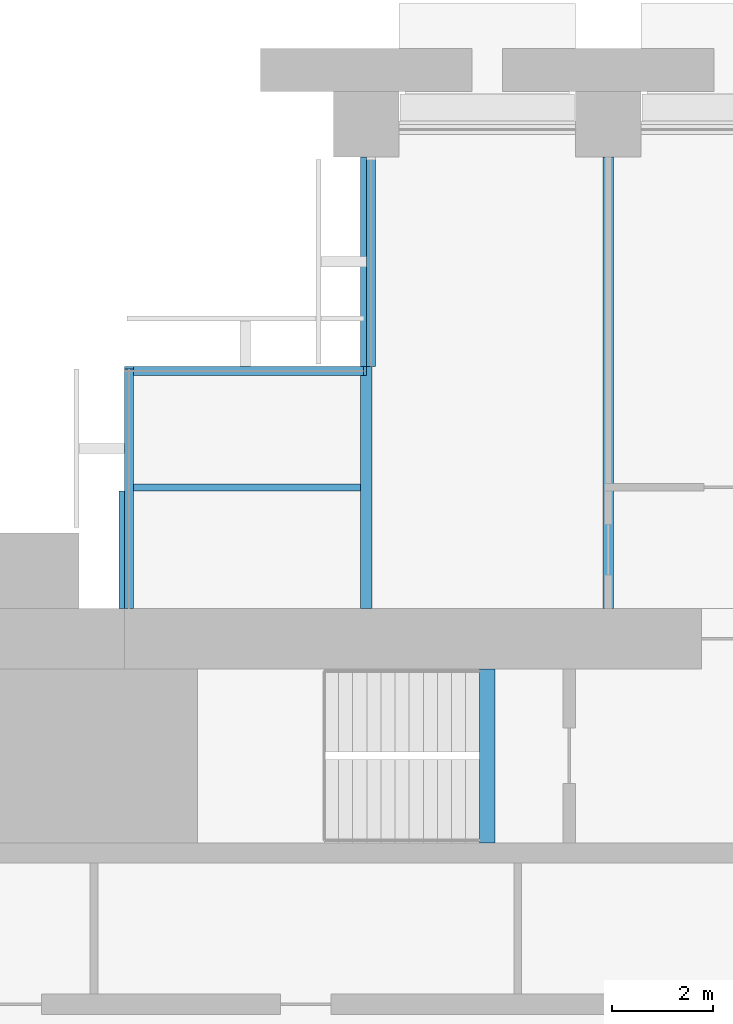
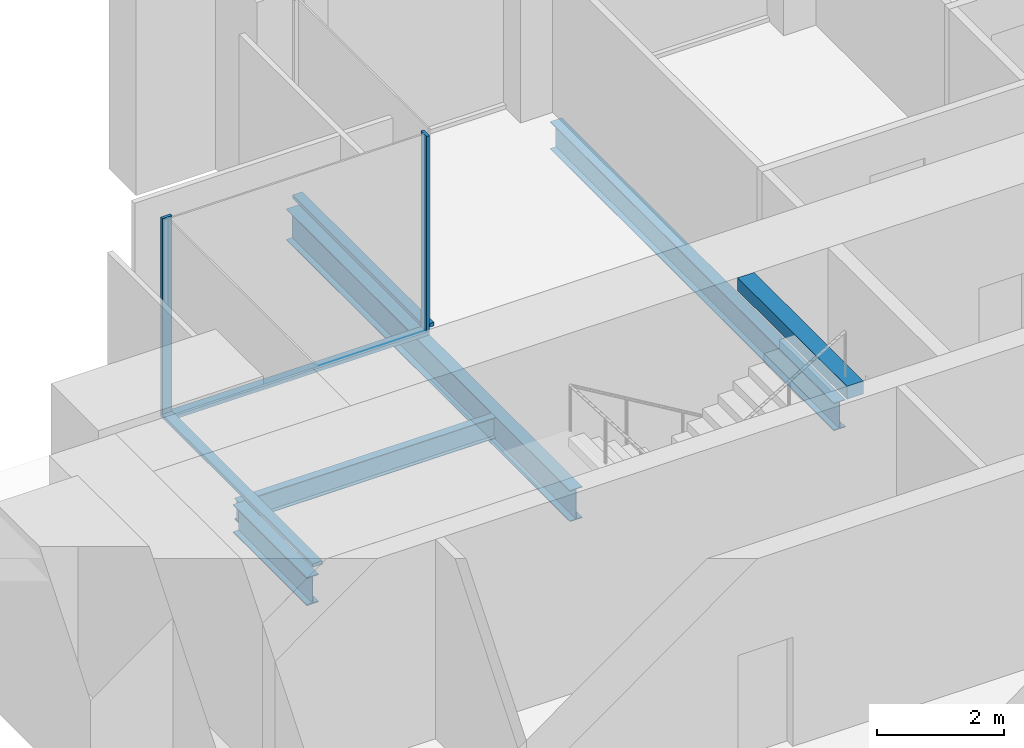
# One storey, part 5 of 15: 5 beams, 5 members, 3 elements without a shape of their own.
"""IFC4 building model written with IfcOpenShell, lengths in metres."""

import ifcopenshell
import ifcopenshell.guid

model = None  # the IFC model being written
_history = None  # IfcOwnerHistory: only IFC2X3 demands one
_inside = {}  # id of a spatial element -> (the spatial element, [elements in it])
_under = {}  # id of a project, library or spatial element -> (it, [spatial elements below it])
_declared = {}  # id of a project -> (the project, [libraries it declares])
_typed = {}  # id of a type object -> (the type object, [elements of that type])
_made_of = {}  # id of a material, layer set ... -> (it, [elements and type objects made of it])


def new_model(schema):
    """Start an empty IFC model of exactly this schema.

    Asked for "IFC4X3", IfcOpenShell would pick the latest addendum, in which some entities
    have other attributes; the version numbers below select the first issue.
    IFC2X3 requires an IfcOwnerHistory on every rooted entity: one is made here for all.
    """
    global model, _history
    if schema == "IFC4X3":
        model = ifcopenshell.file(schema_version=(4, 3, 0, 0))
    else:
        model = ifcopenshell.file(schema=schema)
    _inside.clear()
    _under.clear()
    _declared.clear()
    _typed.clear()
    _made_of.clear()
    _history = None
    if model.schema == "IFC2X3":
        org = make("IfcOrganization", Name="unknown")
        user = make(
            "IfcPersonAndOrganization",
            ThePerson=make("IfcPerson", FamilyName="unknown"),
            TheOrganization=org,
        )
        app = make(
            "IfcApplication",
            ApplicationDeveloper=org,
            Version="unknown",
            ApplicationFullName="unknown",
            ApplicationIdentifier="unknown",
        )
        _history = make(
            "IfcOwnerHistory",
            OwningUser=user,
            OwningApplication=app,
            ChangeAction="ADDED",
            CreationDate=0,
        )
    return model


def make(cls, **values):
    """One entity of the class cls with the attributes given. An attribute that is None is left unset."""
    return model.create_entity(
        cls, **{name: value for name, value in values.items() if value is not None}
    )


def rooted(cls, **values):
    """An entity with a GlobalId (a new one), such as an element, a storey or a relation."""
    return make(cls, GlobalId=ifcopenshell.guid.new(), OwnerHistory=_history, **values)


def si_unit(unit_type, name, prefix=None):
    """IfcSIUnit, for example si_unit("LENGTHUNIT", "METRE", prefix="MILLI")."""
    return make("IfcSIUnit", UnitType=unit_type, Prefix=prefix, Name=name)


def assignment(units):
    """IfcUnitAssignment: the units of a project."""
    return None if units is None else make("IfcUnitAssignment", Units=units)


def point(xyz):
    """IfcCartesianPoint."""
    return None if xyz is None else make("IfcCartesianPoint", Coordinates=xyz)


def direction(xyz):
    """IfcDirection."""
    return None if xyz is None else make("IfcDirection", DirectionRatios=xyz)


def frame(location, z_axis=None, x_axis=None):
    """IfcAxis2Placement3D, a coordinate frame: its origin and axes. An axis left out is left unset."""
    return make(
        "IfcAxis2Placement3D",
        Location=point(location),
        Axis=direction(z_axis),
        RefDirection=direction(x_axis),
    )


def frame_2d(location, x_axis=None):
    """IfcAxis2Placement2D, a coordinate frame in the plane: its origin and x axis."""
    return make(
        "IfcAxis2Placement2D", Location=point(location), RefDirection=direction(x_axis)
    )


def origin():
    """The frame at (0, 0, 0) with its axes left unset."""
    return frame((0.0, 0.0, 0.0))


def origin_2d():
    """The frame at (0, 0) in the plane with its x axis left unset."""
    return frame_2d((0.0, 0.0))


def place(relative_to, where):
    """IfcLocalPlacement: puts the frame where relative to a parent placement (None: the world)."""
    return make(
        "IfcLocalPlacement", PlacementRelTo=relative_to, RelativePlacement=where
    )


def context(
    kind, dimensions, precision=None, world=None, true_north=None, identifier=None
):
    """IfcGeometricRepresentationContext, for example the 3D "Model" context."""
    return make(
        "IfcGeometricRepresentationContext",
        ContextIdentifier=identifier,
        ContextType=kind,
        CoordinateSpaceDimension=dimensions,
        Precision=precision,
        WorldCoordinateSystem=world,
        TrueNorth=true_north,
    )


def subcontext(parent, identifier, kind, view, scale=None):
    """IfcGeometricRepresentationSubContext, for example "Body" below "Model"."""
    return make(
        "IfcGeometricRepresentationSubContext",
        ContextIdentifier=identifier,
        ContextType=kind,
        ParentContext=parent,
        TargetScale=scale,
        TargetView=view,
    )


def project(units=None, contexts=None):
    """IfcProject with its units and contexts."""
    return rooted(
        "IfcProject",
        Name="project",
        RepresentationContexts=contexts,
        UnitsInContext=assignment(units),
    )


def spatial(cls, under=None, at=None, **own):
    """A site, building, storey or space (cls), placed at a placement, below another one or the project."""
    s = rooted(cls, ObjectPlacement=at, **own)
    if under is not None:
        _under.setdefault(under.id(), (under, []))[1].append(s)
    return s


def profile(cls, at=None, kind="AREA", **sizes):
    """A parametric profile (cls). Its sizes go by their IFC names, for example OverallWidth=200.0."""
    return make(cls, ProfileType=kind, Position=at, **sizes)


def rectangle(**sizes):
    """IfcRectangleProfileDef."""
    return profile("IfcRectangleProfileDef", **sizes)


def i_section(**sizes):
    """IfcIShapeProfileDef."""
    return profile("IfcIShapeProfileDef", **sizes)


def extrude(swept, where, along, depth):
    """IfcExtrudedAreaSolid: the profile swept, set in the frame where, extruded along a direction by depth."""
    return make(
        "IfcExtrudedAreaSolid",
        SweptArea=swept,
        Position=where,
        ExtrudedDirection=direction(along),
        Depth=depth,
    )


def shape(context_of_items, identifier, shape_type, items):
    """IfcShapeRepresentation: the items that make up one representation, for example the "Body"."""
    return make(
        "IfcShapeRepresentation",
        ContextOfItems=context_of_items,
        RepresentationIdentifier=identifier,
        RepresentationType=shape_type,
        Items=items,
    )


def material(Name=None, Category=None):
    """IfcMaterial."""
    return make("IfcMaterial", Name=Name, Category=Category)


def material_profile(
    of_material, cross_section, Name=None, Category=None, Priority=None
):
    """IfcMaterialProfile: a cross section and its material."""
    return make(
        "IfcMaterialProfile",
        Name=Name,
        Material=of_material,
        Profile=cross_section,
        Priority=Priority,
        Category=Category,
    )


def profile_set(profiles, Name=None, composite=None):
    """IfcMaterialProfileSet."""
    return make(
        "IfcMaterialProfileSet",
        Name=Name,
        MaterialProfiles=profiles,
        CompositeProfile=composite,
    )


def made_of(thing, what):
    """Note that an element or type object is made of a material, layer set ...; save() writes the relation."""
    if what is not None:
        _made_of.setdefault(what.id(), (what, []))[1].append(thing)
    return thing


def type_object(cls, material=None, **own):
    """A type object (cls), such as IfcWallType, which elements share."""
    return made_of(rooted(cls, **own), material)


def element(
    cls,
    number,
    at=None,
    inside=None,
    cuts=None,
    type_object=None,
    material=None,
    context=None,
    identifier="Body",
    shape_type=None,
    held_by="IfcProductDefinitionShape",
    body=None,
    shapes=None,
    **own,
):
    """One element of the class cls, such as IfcWall. Its Tag is "e" and its number.

    at: its placement. inside: the storey or other place that contains it. cuts: it is an
    opening in that element (IfcRelVoidsElement). A single representation is given by context,
    identifier, shape_type and body (its items); several are given by shapes. held_by: the class
    of the entity that holds the representations. save() writes the other relations.
    """
    e = rooted(cls, Tag="e%d" % number, ObjectPlacement=at, **own)
    if body is not None:
        shapes = [shape(context, identifier, shape_type, body)]
    if shapes is not None:
        e.Representation = make(held_by, Representations=shapes)
    if inside is not None:
        _inside.setdefault(inside.id(), (inside, []))[1].append(e)
    if cuts is not None:
        rooted(
            "IfcRelVoidsElement", RelatingBuildingElement=cuts, RelatedOpeningElement=e
        )
    if type_object is not None:
        _typed.setdefault(type_object.id(), (type_object, []))[1].append(e)
    return made_of(e, material)


def aggregate(whole, parts):
    """IfcRelAggregates: a whole, such as a stair, and the parts it consists of."""
    return rooted("IfcRelAggregates", RelatingObject=whole, RelatedObjects=parts)


def save(model, path):
    """Write the relations noted so far, then the file.

    IfcRelAggregates (storeys below a building ...), IfcRelContainedInSpatialStructure (elements
    in a storey), IfcRelDefinesByType, IfcRelAssociatesMaterial and IfcRelDeclares: one each for
    every whole, place, type object, material and project.
    """
    for whole, parts in _under.values():
        aggregate(whole, parts)
    for where, things in _inside.values():
        rooted(
            "IfcRelContainedInSpatialStructure",
            RelatedElements=things,
            RelatingStructure=where,
        )
    for kind, things in _typed.values():
        rooted("IfcRelDefinesByType", RelatedObjects=things, RelatingType=kind)
    for what, things in _made_of.values():
        rooted("IfcRelAssociatesMaterial", RelatedObjects=things, RelatingMaterial=what)
    for by, libraries in _declared.values():
        rooted("IfcRelDeclares", RelatingContext=by, RelatedDefinitions=libraries)
    model.write(path)


model = new_model("IFC4")

# Units and contexts
model_context = context("Model", 3, precision=1e-05, world=origin(), true_north=direction((0.0, 1.0)))
body_context = subcontext(model_context, "Body", "Model", "MODEL_VIEW")
ifc_project = project(units=[si_unit("LENGTHUNIT", "METRE"), si_unit("AREAUNIT", "SQUARE_METRE"), si_unit("VOLUMEUNIT", "CUBIC_METRE"), si_unit("PLANEANGLEUNIT", "RADIAN"), si_unit("MASSUNIT", "GRAM", prefix="KILO")], contexts=[model_context])

# Site, building, storey
site_placement = place(None, origin())
site = spatial("IfcSite", under=ifc_project, at=site_placement, CompositionType="ELEMENT")
building_placement = place(site_placement, origin())
building = spatial("IfcBuilding", under=site, at=building_placement, Name="Baori Bourse Tower", CompositionType="ELEMENT")
storey_placement = place(building_placement, frame((0.0, 0.0, 71.0)))
storey = spatial("IfcBuildingStorey", under=building, at=storey_placement, Name="L15", CompositionType="ELEMENT", Elevation=71.0)

# Curtain wall, member
ifc_material_1 = material(Name="Pale anodised aluminium", Category="aluminium")
curtain_wall_type = type_object("IfcCurtainWallType", Name="CW2 Curtain wall", PredefinedType="NOTDEFINED", material=ifc_material_1)
curtain_wall_1_placement = place(storey_placement, origin())
curtain_wall_1 = element("IfcCurtainWall", 1, at=curtain_wall_1_placement, inside=storey, type_object=curtain_wall_type, Name="Curtain wall CW2 L15 8", PredefinedType="NOTDEFINED")
ifc_material_2 = material(Name="Pale anodised aluminium", Category="aluminium")
ifc_material_profile_1 = material_profile(ifc_material_2, rectangle(XDim=0.179931640625, YDim=0.054931640625, at=origin_2d()), Name="Mullion 55x180")
ifc_profile_set_1 = profile_set([ifc_material_profile_1], Name="Pale anodised aluminium")
member_type_1 = type_object("IfcMemberType", Name="CW2 Curtain wall mullion", PredefinedType="MULLION", material=ifc_profile_set_1)
member_1_placement = place(storey_placement, frame((9.572509765625, 43.110107421875, 0.070068359375), z_axis=(0.0, 0.0, 1.0), x_axis=(0.0, -1.0, 0.0)))
member_1 = element("IfcMember", 2, at=member_1_placement, type_object=member_type_1, Name="Curtain wall CW2 mullion", PredefinedType="MULLION", context=body_context, shape_type="SweptSolid", body=[
    extrude(rectangle(XDim=0.179931640625, YDim=0.054931640625, at=origin_2d()), origin(), (0.0, 0.0, 1.0), 3.77001953125),
])

curtain_wall_2_placement = place(storey_placement, origin())
curtain_wall_2 = element("IfcCurtainWall", 3, at=curtain_wall_2_placement, inside=storey, type_object=curtain_wall_type, Name="Curtain wall CW2 L15 9", PredefinedType="NOTDEFINED")
member_2_placement = place(storey_placement, frame((4.889892578125, 43.172607421875, 0.070068359375), z_axis=(0.0, 0.0, 1.0), x_axis=(1.0, 0.0, 0.0)))
member_2 = element("IfcMember", 4, at=member_2_placement, type_object=member_type_1, Name="Curtain wall CW2 mullion", PredefinedType="MULLION", context=body_context, shape_type="SweptSolid", body=[
    extrude(rectangle(XDim=0.179931640625, YDim=0.054931640625, at=origin_2d()), origin(), (0.0, 0.0, 1.0), 3.77001953125),
])

curtain_wall_3_placement = place(storey_placement, origin())
curtain_wall_3 = element("IfcCurtainWall", 5, at=curtain_wall_3_placement, inside=storey, type_object=curtain_wall_type, Name="Curtain wall CW2 L15 7", PredefinedType="NOTDEFINED")
ifc_material_3 = material(Name="Pale anodised aluminium", Category="aluminium")
ifc_material_profile_2 = material_profile(ifc_material_3, rectangle(XDim=0.179931640625, YDim=0.070068359375, at=origin_2d()), Name="Transom 70x180")
ifc_profile_set_2 = profile_set([ifc_material_profile_2], Name="Pale anodised aluminium")
member_type_2 = type_object("IfcMemberType", Name="CW2 Curtain wall transom", PredefinedType="USERDEFINED", material=ifc_profile_set_2)
member_3_placement = place(storey_placement, frame((9.68994140625, 47.35009765625, 0.034912109375), z_axis=(0.0, -1.0, 0.0), x_axis=(1.0, 0.0, 0.0)))
member_3 = element("IfcMember", 6, at=member_3_placement, type_object=member_type_2, Name="Curtain wall CW2 sill rail", ObjectType="TRANSOM", PredefinedType="USERDEFINED", context=body_context, shape_type="SweptSolid", body=[
    extrude(rectangle(XDim=0.179931640625, YDim=0.070068359375, at=origin_2d()), origin(), (0.0, 0.0, 1.0), 4.150146484375),
])
aggregate(curtain_wall_3, [member_3])

# Member
member_4_placement = place(storey_placement, frame((9.60009765625, 43.110107421875, 0.034912109375), z_axis=(-1.0, 0.0, 0.0), x_axis=(0.0, -1.0, 0.0)))
member_4 = element("IfcMember", 7, at=member_4_placement, type_object=member_type_2, Name="Curtain wall CW2 sill rail", ObjectType="TRANSOM", PredefinedType="USERDEFINED", context=body_context, shape_type="SweptSolid", body=[
    extrude(rectangle(XDim=0.179931640625, YDim=0.070068359375, at=origin_2d()), origin(), (0.0, 0.0, 1.0), 4.800048828125),
])

aggregate(curtain_wall_1, [member_4, member_1])

member_5_placement = place(storey_placement, frame((4.889892578125, 43.199951171875, 0.034912109375), z_axis=(0.0, -1.0, 0.0), x_axis=(1.0, 0.0, 0.0)))
member_5 = element("IfcMember", 8, at=member_5_placement, type_object=member_type_2, Name="Curtain wall CW2 sill rail", ObjectType="TRANSOM", PredefinedType="USERDEFINED", context=body_context, shape_type="SweptSolid", body=[
    extrude(rectangle(XDim=0.179931640625, YDim=0.070068359375, at=origin_2d()), origin(), (0.0, 0.0, 1.0), 4.800048828125),
])

aggregate(curtain_wall_2, [member_5, member_2])

# Beams
ifc_material_4 = material(Name="Steel A992 Gr 50", Category="steel")
ifc_material_profile_3 = material_profile(ifc_material_4, i_section(OverallWidth=0.21240234375, OverallDepth=0.54345703125, WebThickness=0.01318359375, FlangeThickness=0.021240234375, at=origin_2d()), Name="W21x83")
ifc_profile_set_3 = profile_set([ifc_material_profile_3], Name="Steel A992 Gr 50")
beam_type_1 = type_object("IfcBeamType", Name="Core bracket W21x83", PredefinedType="BEAM", material=ifc_profile_set_3)
beam_1_placement = place(storey_placement, frame((4.800048828125, 38.39990234375, -0.431884765625), z_axis=(0.0, 1.0, 0.0), x_axis=(-1.0, 0.0, 0.0)))
element("IfcBeam", 9, at=beam_1_placement, inside=storey, type_object=beam_type_1, Name="Core bracket L15", PredefinedType="BEAM", context=body_context, shape_type="SweptSolid", body=[
    extrude(i_section(OverallWidth=0.21240234375, OverallDepth=0.54345703125, WebThickness=0.01318359375, FlangeThickness=0.021240234375, at=origin_2d()), origin(), (0.0, 0.0, 1.0), 2.329833984375),
])
ifc_material_5 = material(Name="Steel A992 Gr 50", Category="steel")
ifc_material_profile_4 = material_profile(ifc_material_5, i_section(OverallWidth=0.209228515625, OverallDepth=0.533447265625, WebThickness=0.01025390625, FlangeThickness=0.015625, at=origin_2d()), Name="W21x62")
ifc_profile_set_4 = profile_set([ifc_material_profile_4], Name="Steel A992 Gr 50")
beam_type_2 = type_object("IfcBeamType", Name="Floor beam W21x62", PredefinedType="BEAM", material=ifc_profile_set_4)
beam_2_placement = place(storey_placement, frame((14.39990234375, 38.39990234375, -0.4267578125), z_axis=(0.0, 1.0, 0.0), x_axis=(-1.0, 0.0, 0.0)))
element("IfcBeam", 10, at=beam_2_placement, inside=storey, type_object=beam_type_2, Name="Floor beam L15", PredefinedType="BEAM", context=body_context, shape_type="SweptSolid", body=[
    extrude(i_section(OverallWidth=0.209228515625, OverallDepth=0.533447265625, WebThickness=0.01025390625, FlangeThickness=0.015625, at=origin_2d()), origin(), (0.0, 0.0, 1.0), 8.9501953125),
])
ifc_material_6 = material(Name="Steel A992 Gr 50", Category="steel")
ifc_material_profile_5 = material_profile(ifc_material_6, i_section(OverallWidth=0.227783203125, OverallDepth=0.60205078125, WebThickness=0.010498046875, FlangeThickness=0.014892578125, at=origin_2d()), Name="W24x68")
ifc_profile_set_5 = profile_set([ifc_material_profile_5], Name="Steel A992 Gr 50")
beam_type_3 = type_object("IfcBeamType", Name="Floor beam W24x68", PredefinedType="BEAM", material=ifc_profile_set_5)
beam_3_placement = place(storey_placement, frame((9.60009765625, 38.39990234375, -0.4609375), z_axis=(0.0, 1.0, 0.0), x_axis=(-1.0, 0.0, 0.0)))
element("IfcBeam", 11, at=beam_3_placement, inside=storey, type_object=beam_type_3, Name="Floor beam L15", PredefinedType="BEAM", context=body_context, shape_type="SweptSolid", body=[
    extrude(i_section(OverallWidth=0.227783203125, OverallDepth=0.60205078125, WebThickness=0.010498046875, FlangeThickness=0.014892578125, at=origin_2d()), origin(), (0.0, 0.0, 1.0), 8.9501953125),
])
ifc_material_7 = material(Name="Concrete f'c 50 MPa", Category="concrete")
ifc_material_profile_6 = material_profile(ifc_material_7, rectangle(XDim=0.300048828125, YDim=0.25, at=origin_2d()), Name="RC 300x250")
ifc_profile_set_6 = profile_set([ifc_material_profile_6], Name="Concrete f'c 50 MPa")
beam_type_4 = type_object("IfcBeamType", Name="Stair nib beam RC 300x250", PredefinedType="BEAM", material=ifc_profile_set_6)
beam_4_placement = place(storey_placement, frame((12.0, 33.75, 3.715087890625), z_axis=(0.0, 1.0, 0.0), x_axis=(-1.0, 0.0, 0.0)))
element("IfcBeam", 12, at=beam_4_placement, inside=storey, type_object=beam_type_4, Name="Stair WB nib beam L16", PredefinedType="BEAM", context=body_context, shape_type="SweptSolid", body=[
    extrude(rectangle(XDim=0.300048828125, YDim=0.25, at=origin_2d()), origin(), (0.0, 0.0, 1.0), 3.449951171875),
])
ifc_material_8 = material(Name="Steel A992 Gr 50", Category="steel")
ifc_material_profile_7 = material_profile(ifc_material_8, i_section(OverallWidth=0.140380859375, OverallDepth=0.40380859375, WebThickness=0.007080078125, FlangeThickness=0.01123046875, at=origin_2d()), Name="W16x31")
ifc_profile_set_7 = profile_set([ifc_material_profile_7], Name="Steel A992 Gr 50")
beam_type_5 = type_object("IfcBeamType", Name="Trimmer beam W16x31", PredefinedType="BEAM", material=ifc_profile_set_7)
beam_5_placement = place(storey_placement, frame((4.800048828125, 40.800048828125, -0.36181640625), z_axis=(1.0, 0.0, 0.0), x_axis=(0.0, 1.0, 0.0)))
element("IfcBeam", 13, at=beam_5_placement, inside=storey, type_object=beam_type_5, Name="Trimmer beam L15", PredefinedType="BEAM", context=body_context, shape_type="SweptSolid", body=[
    extrude(i_section(OverallWidth=0.140380859375, OverallDepth=0.40380859375, WebThickness=0.007080078125, FlangeThickness=0.01123046875, at=origin_2d()), origin(), (0.0, 0.0, 1.0), 4.68603515625),
])

save(model, "model.ifc")
